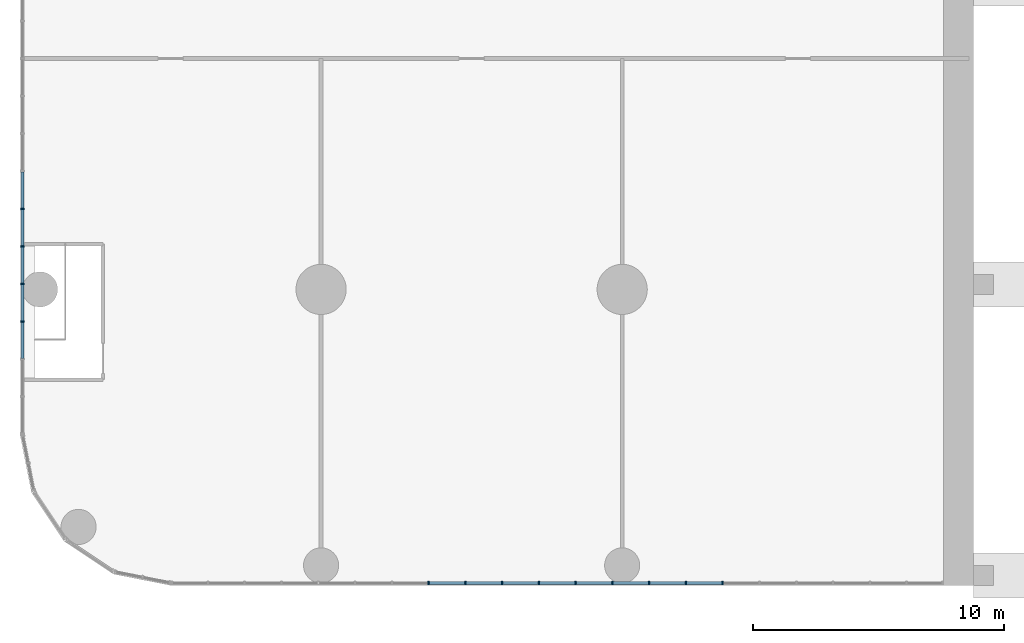
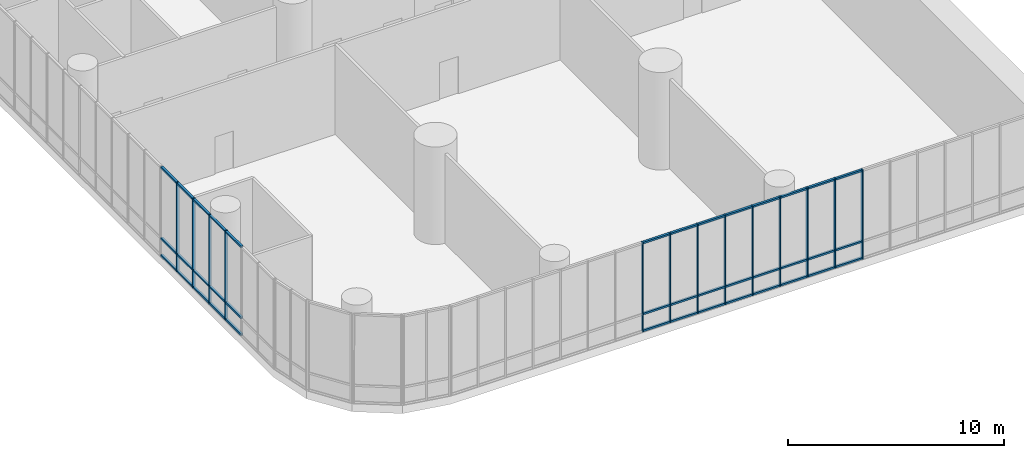
# One storey, part 3 of 30: 52 members, 2 elements without a shape of their own.
"""IFC4 building model written with IfcOpenShell, lengths in metres."""

from ifc_helpers import new_model, si_unit, direction, frame, origin, origin_2d, place, context, subcontext, project, spatial, rectangle, extrude, material, layer, layer_set, material_profile, profile_set, type_object, element, aggregate, save


model = new_model("IFC4")

# Units and contexts
model_context = context("Model", 3, precision=1e-05, world=origin(), true_north=direction((0.0, 1.0)))
body_context = subcontext(model_context, "Body", "Model", "MODEL_VIEW")
ifc_project = project(units=[si_unit("LENGTHUNIT", "METRE"), si_unit("AREAUNIT", "SQUARE_METRE"), si_unit("VOLUMEUNIT", "CUBIC_METRE"), si_unit("PLANEANGLEUNIT", "RADIAN"), si_unit("MASSUNIT", "GRAM", prefix="KILO")], contexts=[model_context])

# Site, building, storey
site_placement = place(None, origin())
site = spatial("IfcSite", under=ifc_project, at=site_placement, CompositionType="ELEMENT")
building_placement = place(site_placement, origin())
building = spatial("IfcBuilding", under=site, at=building_placement, Name="Torana Hotel and Residences", CompositionType="ELEMENT")
storey_placement = place(building_placement, frame((0.0, 0.0, 12.5)))
storey = spatial("IfcBuildingStorey", under=building, at=storey_placement, Name="L02", CompositionType="ELEMENT", Elevation=12.5)

# Curtain wall, members
ifc_material_1 = material(Name="Dark anodised aluminium", Category="aluminium")
ifc_layer = layer(ifc_material_1, 0.14990234375)
ifc_layer_set = layer_set([ifc_layer], Name="CW5 PODIUM UPPER UNITISED CURTAIN WALL")
curtain_wall_type = type_object("IfcCurtainWallType", Name="CW5 PODIUM UPPER UNITISED CURTAIN WALL", PredefinedType="NOTDEFINED", material=ifc_layer_set)
curtain_wall_1_placement = place(storey_placement, origin())
curtain_wall_1 = element("IfcCurtainWall", 1, at=curtain_wall_1_placement, inside=storey, type_object=curtain_wall_type, Name="Curtain wall CW5 L02 e0.0", PredefinedType="NOTDEFINED")
ifc_material_2 = material(Name="Dark anodised aluminium", Category="aluminium")
ifc_material_profile_1 = material_profile(ifc_material_2, rectangle(XDim=0.14990234375, YDim=0.06005859375, at=origin_2d()), Name="CW5 MULLION 60x150")
ifc_profile_set_1 = profile_set([ifc_material_profile_1], Name="Dark anodised aluminium")
member_type_1 = type_object("IfcMemberType", Name="CW5 MULLION 60x150", PredefinedType="MULLION", material=ifc_profile_set_1)
member_1_placement = place(storey_placement, frame((-31.717041015625, -39.89990234375, 0.0), z_axis=(0.0, 0.0, 1.0), x_axis=(0.0, 1.0, 0.0)))
member_1 = element("IfcMember", 2, at=member_1_placement, type_object=member_type_1, Name="CW5 mullion 8", PredefinedType="MULLION", context=body_context, shape_type="SweptSolid", body=[
    extrude(rectangle(XDim=0.14990234375, YDim=0.06005859375, at=origin_2d()), origin(), (0.0, 0.0, 1.0), 5.050048828125),
])
member_2_placement = place(storey_placement, frame((-30.25146484375, -39.89990234375, 0.0), z_axis=(0.0, 0.0, 1.0), x_axis=(0.0, 1.0, 0.0)))
member_2 = element("IfcMember", 3, at=member_2_placement, type_object=member_type_1, Name="CW5 mullion 9", PredefinedType="MULLION", context=body_context, shape_type="SweptSolid", body=[
    extrude(rectangle(XDim=0.14990234375, YDim=0.06005859375, at=origin_2d()), origin(), (0.0, 0.0, 1.0), 5.050048828125),
])
member_3_placement = place(storey_placement, frame((-28.785888671875, -39.89990234375, 0.0), z_axis=(0.0, 0.0, 1.0), x_axis=(0.0, 1.0, 0.0)))
member_3 = element("IfcMember", 4, at=member_3_placement, type_object=member_type_1, Name="CW5 mullion 10", PredefinedType="MULLION", context=body_context, shape_type="SweptSolid", body=[
    extrude(rectangle(XDim=0.14990234375, YDim=0.06005859375, at=origin_2d()), origin(), (0.0, 0.0, 1.0), 5.050048828125),
])
member_4_placement = place(storey_placement, frame((-27.320556640625, -39.89990234375, 0.0), z_axis=(0.0, 0.0, 1.0), x_axis=(0.0, 1.0, 0.0)))
member_4 = element("IfcMember", 5, at=member_4_placement, type_object=member_type_1, Name="CW5 mullion 11", PredefinedType="MULLION", context=body_context, shape_type="SweptSolid", body=[
    extrude(rectangle(XDim=0.14990234375, YDim=0.06005859375, at=origin_2d()), origin(), (0.0, 0.0, 1.0), 5.050048828125),
])
member_5_placement = place(storey_placement, frame((-25.85498046875, -39.89990234375, 0.0), z_axis=(0.0, 0.0, 1.0), x_axis=(0.0, 1.0, 0.0)))
member_5 = element("IfcMember", 6, at=member_5_placement, type_object=member_type_1, Name="CW5 mullion 12", PredefinedType="MULLION", context=body_context, shape_type="SweptSolid", body=[
    extrude(rectangle(XDim=0.14990234375, YDim=0.06005859375, at=origin_2d()), origin(), (0.0, 0.0, 1.0), 5.050048828125),
])
member_6_placement = place(storey_placement, frame((-24.389404296875, -39.89990234375, 0.0), z_axis=(0.0, 0.0, 1.0), x_axis=(0.0, 1.0, 0.0)))
member_6 = element("IfcMember", 7, at=member_6_placement, type_object=member_type_1, Name="CW5 mullion 13", PredefinedType="MULLION", context=body_context, shape_type="SweptSolid", body=[
    extrude(rectangle(XDim=0.14990234375, YDim=0.06005859375, at=origin_2d()), origin(), (0.0, 0.0, 1.0), 5.050048828125),
])
member_7_placement = place(storey_placement, frame((-22.924072265625, -39.89990234375, 0.0), z_axis=(0.0, 0.0, 1.0), x_axis=(0.0, 1.0, 0.0)))
member_7 = element("IfcMember", 8, at=member_7_placement, type_object=member_type_1, Name="CW5 mullion 14", PredefinedType="MULLION", context=body_context, shape_type="SweptSolid", body=[
    extrude(rectangle(XDim=0.14990234375, YDim=0.06005859375, at=origin_2d()), origin(), (0.0, 0.0, 1.0), 5.050048828125),
])
member_8_placement = place(storey_placement, frame((-21.45849609375, -39.89990234375, 0.0), z_axis=(0.0, 0.0, 1.0), x_axis=(0.0, 1.0, 0.0)))
member_8 = element("IfcMember", 9, at=member_8_placement, type_object=member_type_1, Name="CW5 mullion 15", PredefinedType="MULLION", context=body_context, shape_type="SweptSolid", body=[
    extrude(rectangle(XDim=0.14990234375, YDim=0.06005859375, at=origin_2d()), origin(), (0.0, 0.0, 1.0), 5.050048828125),
])
member_9_placement = place(storey_placement, frame((-19.992919921875, -39.89990234375, 0.0), z_axis=(0.0, 0.0, 1.0), x_axis=(0.0, 1.0, 0.0)))
member_9 = element("IfcMember", 10, at=member_9_placement, type_object=member_type_1, Name="CW5 mullion 16", PredefinedType="MULLION", context=body_context, shape_type="SweptSolid", body=[
    extrude(rectangle(XDim=0.14990234375, YDim=0.06005859375, at=origin_2d()), origin(), (0.0, 0.0, 1.0), 5.050048828125),
])

curtain_wall_2_placement = place(storey_placement, origin())
curtain_wall_2 = element("IfcCurtainWall", 11, at=curtain_wall_2_placement, inside=storey, type_object=curtain_wall_type, Name="Curtain wall CW5 L02 e0.7", PredefinedType="NOTDEFINED")
member_10_placement = place(storey_placement, frame((-47.89990234375, -24.98779296875, 0.0), z_axis=(0.0, 0.0, 1.0), x_axis=(1.0, 0.0, 0.0)))
member_10 = element("IfcMember", 12, at=member_10_placement, type_object=member_type_1, Name="CW5 mullion 19", PredefinedType="MULLION", context=body_context, shape_type="SweptSolid", body=[
    extrude(rectangle(XDim=0.14990234375, YDim=0.06005859375, at=origin_2d()), origin(), (0.0, 0.0, 1.0), 5.050048828125),
])
member_11_placement = place(storey_placement, frame((-47.89990234375, -26.485595703125, 0.0), z_axis=(0.0, 0.0, 1.0), x_axis=(1.0, 0.0, 0.0)))
member_11 = element("IfcMember", 13, at=member_11_placement, type_object=member_type_1, Name="CW5 mullion 20", PredefinedType="MULLION", context=body_context, shape_type="SweptSolid", body=[
    extrude(rectangle(XDim=0.14990234375, YDim=0.06005859375, at=origin_2d()), origin(), (0.0, 0.0, 1.0), 5.050048828125),
])
member_12_placement = place(storey_placement, frame((-47.89990234375, -27.983642578125, 0.0), z_axis=(0.0, 0.0, 1.0), x_axis=(1.0, 0.0, 0.0)))
member_12 = element("IfcMember", 14, at=member_12_placement, type_object=member_type_1, Name="CW5 mullion 21", PredefinedType="MULLION", context=body_context, shape_type="SweptSolid", body=[
    extrude(rectangle(XDim=0.14990234375, YDim=0.06005859375, at=origin_2d()), origin(), (0.0, 0.0, 1.0), 5.050048828125),
])
member_13_placement = place(storey_placement, frame((-47.89990234375, -29.4814453125, 0.0), z_axis=(0.0, 0.0, 1.0), x_axis=(1.0, 0.0, 0.0)))
member_13 = element("IfcMember", 15, at=member_13_placement, type_object=member_type_1, Name="CW5 mullion 22", PredefinedType="MULLION", context=body_context, shape_type="SweptSolid", body=[
    extrude(rectangle(XDim=0.14990234375, YDim=0.06005859375, at=origin_2d()), origin(), (0.0, 0.0, 1.0), 5.050048828125),
])

# Member
ifc_material_3 = material(Name="Dark anodised aluminium", Category="aluminium")
ifc_material_profile_2 = material_profile(ifc_material_3, rectangle(XDim=0.1201171875, YDim=0.10009765625, at=origin_2d()), Name="CW5 TRANSOM 120x100")
ifc_profile_set_2 = profile_set([ifc_material_profile_2], Name="Dark anodised aluminium")
member_type_2 = type_object("IfcMemberType", Name="CW5 TRANSOM 120x100", PredefinedType="USERDEFINED", material=ifc_profile_set_2)
member_14_placement = place(storey_placement, frame((-31.68701171875, -39.89990234375, 0.050048828125), z_axis=(1.0, 0.0, 0.0), x_axis=(0.0, 1.0, 0.0)))
member_14 = element("IfcMember", 16, at=member_14_placement, type_object=member_type_2, Name="CW5 transom 8.1", ObjectType="TRANSOM", PredefinedType="USERDEFINED", context=body_context, shape_type="SweptSolid", body=[
    extrude(rectangle(XDim=0.1201171875, YDim=0.10009765625, at=origin_2d()), origin(), (0.0, 0.0, 1.0), 1.405517578125),
])

member_15_placement = place(storey_placement, frame((-31.68701171875, -39.89990234375, 1.0), z_axis=(1.0, 0.0, 0.0), x_axis=(0.0, 1.0, 0.0)))
member_15 = element("IfcMember", 17, at=member_15_placement, type_object=member_type_2, Name="CW5 transom 8.2", ObjectType="TRANSOM", PredefinedType="USERDEFINED", context=body_context, shape_type="SweptSolid", body=[
    extrude(rectangle(XDim=0.1201171875, YDim=0.10009765625, at=origin_2d()), origin(), (0.0, 0.0, 1.0), 1.405517578125),
])

member_16_placement = place(storey_placement, frame((-31.68701171875, -39.89990234375, 5.0), z_axis=(1.0, 0.0, 0.0), x_axis=(0.0, 1.0, 0.0)))
member_16 = element("IfcMember", 18, at=member_16_placement, type_object=member_type_2, Name="CW5 transom 8.3", ObjectType="TRANSOM", PredefinedType="USERDEFINED", context=body_context, shape_type="SweptSolid", body=[
    extrude(rectangle(XDim=0.1201171875, YDim=0.10009765625, at=origin_2d()), origin(), (0.0, 0.0, 1.0), 1.405517578125),
])

member_17_placement = place(storey_placement, frame((-30.221435546875, -39.89990234375, 0.050048828125), z_axis=(1.0, 0.0, 0.0), x_axis=(0.0, 1.0, 0.0)))
member_17 = element("IfcMember", 19, at=member_17_placement, type_object=member_type_2, Name="CW5 transom 9.1", ObjectType="TRANSOM", PredefinedType="USERDEFINED", context=body_context, shape_type="SweptSolid", body=[
    extrude(rectangle(XDim=0.1201171875, YDim=0.10009765625, at=origin_2d()), origin(), (0.0, 0.0, 1.0), 1.405517578125),
])

member_18_placement = place(storey_placement, frame((-30.221435546875, -39.89990234375, 1.0), z_axis=(1.0, 0.0, 0.0), x_axis=(0.0, 1.0, 0.0)))
member_18 = element("IfcMember", 20, at=member_18_placement, type_object=member_type_2, Name="CW5 transom 9.2", ObjectType="TRANSOM", PredefinedType="USERDEFINED", context=body_context, shape_type="SweptSolid", body=[
    extrude(rectangle(XDim=0.1201171875, YDim=0.10009765625, at=origin_2d()), origin(), (0.0, 0.0, 1.0), 1.405517578125),
])

member_19_placement = place(storey_placement, frame((-30.221435546875, -39.89990234375, 5.0), z_axis=(1.0, 0.0, 0.0), x_axis=(0.0, 1.0, 0.0)))
member_19 = element("IfcMember", 21, at=member_19_placement, type_object=member_type_2, Name="CW5 transom 9.3", ObjectType="TRANSOM", PredefinedType="USERDEFINED", context=body_context, shape_type="SweptSolid", body=[
    extrude(rectangle(XDim=0.1201171875, YDim=0.10009765625, at=origin_2d()), origin(), (0.0, 0.0, 1.0), 1.405517578125),
])

member_20_placement = place(storey_placement, frame((-28.755859375, -39.89990234375, 0.050048828125), z_axis=(1.0, 0.0, 0.0), x_axis=(0.0, 1.0, 0.0)))
member_20 = element("IfcMember", 22, at=member_20_placement, type_object=member_type_2, Name="CW5 transom 10.1", ObjectType="TRANSOM", PredefinedType="USERDEFINED", context=body_context, shape_type="SweptSolid", body=[
    extrude(rectangle(XDim=0.1201171875, YDim=0.10009765625, at=origin_2d()), origin(), (0.0, 0.0, 1.0), 1.405517578125),
])

member_21_placement = place(storey_placement, frame((-28.755859375, -39.89990234375, 1.0), z_axis=(1.0, 0.0, 0.0), x_axis=(0.0, 1.0, 0.0)))
member_21 = element("IfcMember", 23, at=member_21_placement, type_object=member_type_2, Name="CW5 transom 10.2", ObjectType="TRANSOM", PredefinedType="USERDEFINED", context=body_context, shape_type="SweptSolid", body=[
    extrude(rectangle(XDim=0.1201171875, YDim=0.10009765625, at=origin_2d()), origin(), (0.0, 0.0, 1.0), 1.405517578125),
])

member_22_placement = place(storey_placement, frame((-28.755859375, -39.89990234375, 5.0), z_axis=(1.0, 0.0, 0.0), x_axis=(0.0, 1.0, 0.0)))
member_22 = element("IfcMember", 24, at=member_22_placement, type_object=member_type_2, Name="CW5 transom 10.3", ObjectType="TRANSOM", PredefinedType="USERDEFINED", context=body_context, shape_type="SweptSolid", body=[
    extrude(rectangle(XDim=0.1201171875, YDim=0.10009765625, at=origin_2d()), origin(), (0.0, 0.0, 1.0), 1.405517578125),
])

member_23_placement = place(storey_placement, frame((-27.29052734375, -39.89990234375, 0.050048828125), z_axis=(1.0, 0.0, 0.0), x_axis=(0.0, 1.0, 0.0)))
member_23 = element("IfcMember", 25, at=member_23_placement, type_object=member_type_2, Name="CW5 transom 11.1", ObjectType="TRANSOM", PredefinedType="USERDEFINED", context=body_context, shape_type="SweptSolid", body=[
    extrude(rectangle(XDim=0.1201171875, YDim=0.10009765625, at=origin_2d()), origin(), (0.0, 0.0, 1.0), 1.405517578125),
])

member_24_placement = place(storey_placement, frame((-27.29052734375, -39.89990234375, 1.0), z_axis=(1.0, 0.0, 0.0), x_axis=(0.0, 1.0, 0.0)))
member_24 = element("IfcMember", 26, at=member_24_placement, type_object=member_type_2, Name="CW5 transom 11.2", ObjectType="TRANSOM", PredefinedType="USERDEFINED", context=body_context, shape_type="SweptSolid", body=[
    extrude(rectangle(XDim=0.1201171875, YDim=0.10009765625, at=origin_2d()), origin(), (0.0, 0.0, 1.0), 1.405517578125),
])

member_25_placement = place(storey_placement, frame((-27.29052734375, -39.89990234375, 5.0), z_axis=(1.0, 0.0, 0.0), x_axis=(0.0, 1.0, 0.0)))
member_25 = element("IfcMember", 27, at=member_25_placement, type_object=member_type_2, Name="CW5 transom 11.3", ObjectType="TRANSOM", PredefinedType="USERDEFINED", context=body_context, shape_type="SweptSolid", body=[
    extrude(rectangle(XDim=0.1201171875, YDim=0.10009765625, at=origin_2d()), origin(), (0.0, 0.0, 1.0), 1.405517578125),
])

member_26_placement = place(storey_placement, frame((-25.824951171875, -39.89990234375, 0.050048828125), z_axis=(1.0, 0.0, 0.0), x_axis=(0.0, 1.0, 0.0)))
member_26 = element("IfcMember", 28, at=member_26_placement, type_object=member_type_2, Name="CW5 transom 12.1", ObjectType="TRANSOM", PredefinedType="USERDEFINED", context=body_context, shape_type="SweptSolid", body=[
    extrude(rectangle(XDim=0.1201171875, YDim=0.10009765625, at=origin_2d()), origin(), (0.0, 0.0, 1.0), 1.405517578125),
])

member_27_placement = place(storey_placement, frame((-25.824951171875, -39.89990234375, 1.0), z_axis=(1.0, 0.0, 0.0), x_axis=(0.0, 1.0, 0.0)))
member_27 = element("IfcMember", 29, at=member_27_placement, type_object=member_type_2, Name="CW5 transom 12.2", ObjectType="TRANSOM", PredefinedType="USERDEFINED", context=body_context, shape_type="SweptSolid", body=[
    extrude(rectangle(XDim=0.1201171875, YDim=0.10009765625, at=origin_2d()), origin(), (0.0, 0.0, 1.0), 1.405517578125),
])

member_28_placement = place(storey_placement, frame((-25.824951171875, -39.89990234375, 5.0), z_axis=(1.0, 0.0, 0.0), x_axis=(0.0, 1.0, 0.0)))
member_28 = element("IfcMember", 30, at=member_28_placement, type_object=member_type_2, Name="CW5 transom 12.3", ObjectType="TRANSOM", PredefinedType="USERDEFINED", context=body_context, shape_type="SweptSolid", body=[
    extrude(rectangle(XDim=0.1201171875, YDim=0.10009765625, at=origin_2d()), origin(), (0.0, 0.0, 1.0), 1.405517578125),
])

member_29_placement = place(storey_placement, frame((-24.359375, -39.89990234375, 0.050048828125), z_axis=(1.0, 0.0, 0.0), x_axis=(0.0, 1.0, 0.0)))
member_29 = element("IfcMember", 31, at=member_29_placement, type_object=member_type_2, Name="CW5 transom 13.1", ObjectType="TRANSOM", PredefinedType="USERDEFINED", context=body_context, shape_type="SweptSolid", body=[
    extrude(rectangle(XDim=0.1201171875, YDim=0.10009765625, at=origin_2d()), origin(), (0.0, 0.0, 1.0), 1.405517578125),
])

member_30_placement = place(storey_placement, frame((-24.359375, -39.89990234375, 1.0), z_axis=(1.0, 0.0, 0.0), x_axis=(0.0, 1.0, 0.0)))
member_30 = element("IfcMember", 32, at=member_30_placement, type_object=member_type_2, Name="CW5 transom 13.2", ObjectType="TRANSOM", PredefinedType="USERDEFINED", context=body_context, shape_type="SweptSolid", body=[
    extrude(rectangle(XDim=0.1201171875, YDim=0.10009765625, at=origin_2d()), origin(), (0.0, 0.0, 1.0), 1.405517578125),
])

member_31_placement = place(storey_placement, frame((-24.359375, -39.89990234375, 5.0), z_axis=(1.0, 0.0, 0.0), x_axis=(0.0, 1.0, 0.0)))
member_31 = element("IfcMember", 33, at=member_31_placement, type_object=member_type_2, Name="CW5 transom 13.3", ObjectType="TRANSOM", PredefinedType="USERDEFINED", context=body_context, shape_type="SweptSolid", body=[
    extrude(rectangle(XDim=0.1201171875, YDim=0.10009765625, at=origin_2d()), origin(), (0.0, 0.0, 1.0), 1.405517578125),
])

member_32_placement = place(storey_placement, frame((-22.89404296875, -39.89990234375, 0.050048828125), z_axis=(1.0, 0.0, 0.0), x_axis=(0.0, 1.0, 0.0)))
member_32 = element("IfcMember", 34, at=member_32_placement, type_object=member_type_2, Name="CW5 transom 14.1", ObjectType="TRANSOM", PredefinedType="USERDEFINED", context=body_context, shape_type="SweptSolid", body=[
    extrude(rectangle(XDim=0.1201171875, YDim=0.10009765625, at=origin_2d()), origin(), (0.0, 0.0, 1.0), 1.405517578125),
])

member_33_placement = place(storey_placement, frame((-22.89404296875, -39.89990234375, 1.0), z_axis=(1.0, 0.0, 0.0), x_axis=(0.0, 1.0, 0.0)))
member_33 = element("IfcMember", 35, at=member_33_placement, type_object=member_type_2, Name="CW5 transom 14.2", ObjectType="TRANSOM", PredefinedType="USERDEFINED", context=body_context, shape_type="SweptSolid", body=[
    extrude(rectangle(XDim=0.1201171875, YDim=0.10009765625, at=origin_2d()), origin(), (0.0, 0.0, 1.0), 1.405517578125),
])

member_34_placement = place(storey_placement, frame((-22.89404296875, -39.89990234375, 5.0), z_axis=(1.0, 0.0, 0.0), x_axis=(0.0, 1.0, 0.0)))
member_34 = element("IfcMember", 36, at=member_34_placement, type_object=member_type_2, Name="CW5 transom 14.3", ObjectType="TRANSOM", PredefinedType="USERDEFINED", context=body_context, shape_type="SweptSolid", body=[
    extrude(rectangle(XDim=0.1201171875, YDim=0.10009765625, at=origin_2d()), origin(), (0.0, 0.0, 1.0), 1.405517578125),
])

member_35_placement = place(storey_placement, frame((-21.428466796875, -39.89990234375, 0.050048828125), z_axis=(1.0, 0.0, 0.0), x_axis=(0.0, 1.0, 0.0)))
member_35 = element("IfcMember", 37, at=member_35_placement, type_object=member_type_2, Name="CW5 transom 15.1", ObjectType="TRANSOM", PredefinedType="USERDEFINED", context=body_context, shape_type="SweptSolid", body=[
    extrude(rectangle(XDim=0.1201171875, YDim=0.10009765625, at=origin_2d()), origin(), (0.0, 0.0, 1.0), 1.405517578125),
])

member_36_placement = place(storey_placement, frame((-21.428466796875, -39.89990234375, 1.0), z_axis=(1.0, 0.0, 0.0), x_axis=(0.0, 1.0, 0.0)))
member_36 = element("IfcMember", 38, at=member_36_placement, type_object=member_type_2, Name="CW5 transom 15.2", ObjectType="TRANSOM", PredefinedType="USERDEFINED", context=body_context, shape_type="SweptSolid", body=[
    extrude(rectangle(XDim=0.1201171875, YDim=0.10009765625, at=origin_2d()), origin(), (0.0, 0.0, 1.0), 1.405517578125),
])

member_37_placement = place(storey_placement, frame((-21.428466796875, -39.89990234375, 5.0), z_axis=(1.0, 0.0, 0.0), x_axis=(0.0, 1.0, 0.0)))
member_37 = element("IfcMember", 39, at=member_37_placement, type_object=member_type_2, Name="CW5 transom 15.3", ObjectType="TRANSOM", PredefinedType="USERDEFINED", context=body_context, shape_type="SweptSolid", body=[
    extrude(rectangle(XDim=0.1201171875, YDim=0.10009765625, at=origin_2d()), origin(), (0.0, 0.0, 1.0), 1.405517578125),
])

aggregate(curtain_wall_1, [member_1, member_2, member_3, member_4, member_5, member_6, member_7, member_8, member_9, member_14, member_15, member_16, member_17, member_18, member_19, member_20, member_21, member_22, member_23, member_24, member_25, member_26, member_27, member_28, member_29, member_30, member_31, member_32, member_33, member_34, member_35, member_36, member_37])

member_38_placement = place(storey_placement, frame((-47.89990234375, -23.519775390625, 0.050048828125), z_axis=(0.0, -1.0, 0.0), x_axis=(1.0, 0.0, 0.0)))
member_38 = element("IfcMember", 40, at=member_38_placement, type_object=member_type_2, Name="CW5 transom 18.1", ObjectType="TRANSOM", PredefinedType="USERDEFINED", context=body_context, shape_type="SweptSolid", body=[
    extrude(rectangle(XDim=0.1201171875, YDim=0.10009765625, at=origin_2d()), origin(), (0.0, 0.0, 1.0), 1.43798828125),
])

member_39_placement = place(storey_placement, frame((-47.89990234375, -23.519775390625, 1.0), z_axis=(0.0, -1.0, 0.0), x_axis=(1.0, 0.0, 0.0)))
member_39 = element("IfcMember", 41, at=member_39_placement, type_object=member_type_2, Name="CW5 transom 18.2", ObjectType="TRANSOM", PredefinedType="USERDEFINED", context=body_context, shape_type="SweptSolid", body=[
    extrude(rectangle(XDim=0.1201171875, YDim=0.10009765625, at=origin_2d()), origin(), (0.0, 0.0, 1.0), 1.43798828125),
])

member_40_placement = place(storey_placement, frame((-47.89990234375, -23.519775390625, 5.0), z_axis=(0.0, -1.0, 0.0), x_axis=(1.0, 0.0, 0.0)))
member_40 = element("IfcMember", 42, at=member_40_placement, type_object=member_type_2, Name="CW5 transom 18.3", ObjectType="TRANSOM", PredefinedType="USERDEFINED", context=body_context, shape_type="SweptSolid", body=[
    extrude(rectangle(XDim=0.1201171875, YDim=0.10009765625, at=origin_2d()), origin(), (0.0, 0.0, 1.0), 1.43798828125),
])

member_41_placement = place(storey_placement, frame((-47.89990234375, -25.017578125, 0.050048828125), z_axis=(0.0, -1.0, 0.0), x_axis=(1.0, 0.0, 0.0)))
member_41 = element("IfcMember", 43, at=member_41_placement, type_object=member_type_2, Name="CW5 transom 19.1", ObjectType="TRANSOM", PredefinedType="USERDEFINED", context=body_context, shape_type="SweptSolid", body=[
    extrude(rectangle(XDim=0.1201171875, YDim=0.10009765625, at=origin_2d()), origin(), (0.0, 0.0, 1.0), 1.43798828125),
])

member_42_placement = place(storey_placement, frame((-47.89990234375, -25.017578125, 1.0), z_axis=(0.0, -1.0, 0.0), x_axis=(1.0, 0.0, 0.0)))
member_42 = element("IfcMember", 44, at=member_42_placement, type_object=member_type_2, Name="CW5 transom 19.2", ObjectType="TRANSOM", PredefinedType="USERDEFINED", context=body_context, shape_type="SweptSolid", body=[
    extrude(rectangle(XDim=0.1201171875, YDim=0.10009765625, at=origin_2d()), origin(), (0.0, 0.0, 1.0), 1.43798828125),
])

member_43_placement = place(storey_placement, frame((-47.89990234375, -25.017578125, 5.0), z_axis=(0.0, -1.0, 0.0), x_axis=(1.0, 0.0, 0.0)))
member_43 = element("IfcMember", 45, at=member_43_placement, type_object=member_type_2, Name="CW5 transom 19.3", ObjectType="TRANSOM", PredefinedType="USERDEFINED", context=body_context, shape_type="SweptSolid", body=[
    extrude(rectangle(XDim=0.1201171875, YDim=0.10009765625, at=origin_2d()), origin(), (0.0, 0.0, 1.0), 1.43798828125),
])

member_44_placement = place(storey_placement, frame((-47.89990234375, -26.515625, 0.050048828125), z_axis=(0.0, -1.0, 0.0), x_axis=(1.0, 0.0, 0.0)))
member_44 = element("IfcMember", 46, at=member_44_placement, type_object=member_type_2, Name="CW5 transom 20.1", ObjectType="TRANSOM", PredefinedType="USERDEFINED", context=body_context, shape_type="SweptSolid", body=[
    extrude(rectangle(XDim=0.1201171875, YDim=0.10009765625, at=origin_2d()), origin(), (0.0, 0.0, 1.0), 1.43798828125),
])

member_45_placement = place(storey_placement, frame((-47.89990234375, -26.515625, 1.0), z_axis=(0.0, -1.0, 0.0), x_axis=(1.0, 0.0, 0.0)))
member_45 = element("IfcMember", 47, at=member_45_placement, type_object=member_type_2, Name="CW5 transom 20.2", ObjectType="TRANSOM", PredefinedType="USERDEFINED", context=body_context, shape_type="SweptSolid", body=[
    extrude(rectangle(XDim=0.1201171875, YDim=0.10009765625, at=origin_2d()), origin(), (0.0, 0.0, 1.0), 1.43798828125),
])

member_46_placement = place(storey_placement, frame((-47.89990234375, -26.515625, 5.0), z_axis=(0.0, -1.0, 0.0), x_axis=(1.0, 0.0, 0.0)))
member_46 = element("IfcMember", 48, at=member_46_placement, type_object=member_type_2, Name="CW5 transom 20.3", ObjectType="TRANSOM", PredefinedType="USERDEFINED", context=body_context, shape_type="SweptSolid", body=[
    extrude(rectangle(XDim=0.1201171875, YDim=0.10009765625, at=origin_2d()), origin(), (0.0, 0.0, 1.0), 1.43798828125),
])

member_47_placement = place(storey_placement, frame((-47.89990234375, -28.013671875, 0.050048828125), z_axis=(0.0, -1.0, 0.0), x_axis=(1.0, 0.0, 0.0)))
member_47 = element("IfcMember", 49, at=member_47_placement, type_object=member_type_2, Name="CW5 transom 21.1", ObjectType="TRANSOM", PredefinedType="USERDEFINED", context=body_context, shape_type="SweptSolid", body=[
    extrude(rectangle(XDim=0.1201171875, YDim=0.10009765625, at=origin_2d()), origin(), (0.0, 0.0, 1.0), 1.43798828125),
])

member_48_placement = place(storey_placement, frame((-47.89990234375, -28.013671875, 1.0), z_axis=(0.0, -1.0, 0.0), x_axis=(1.0, 0.0, 0.0)))
member_48 = element("IfcMember", 50, at=member_48_placement, type_object=member_type_2, Name="CW5 transom 21.2", ObjectType="TRANSOM", PredefinedType="USERDEFINED", context=body_context, shape_type="SweptSolid", body=[
    extrude(rectangle(XDim=0.1201171875, YDim=0.10009765625, at=origin_2d()), origin(), (0.0, 0.0, 1.0), 1.43798828125),
])

member_49_placement = place(storey_placement, frame((-47.89990234375, -28.013671875, 5.0), z_axis=(0.0, -1.0, 0.0), x_axis=(1.0, 0.0, 0.0)))
member_49 = element("IfcMember", 51, at=member_49_placement, type_object=member_type_2, Name="CW5 transom 21.3", ObjectType="TRANSOM", PredefinedType="USERDEFINED", context=body_context, shape_type="SweptSolid", body=[
    extrude(rectangle(XDim=0.1201171875, YDim=0.10009765625, at=origin_2d()), origin(), (0.0, 0.0, 1.0), 1.43798828125),
])

member_50_placement = place(storey_placement, frame((-47.89990234375, -29.511474609375, 0.050048828125), z_axis=(0.0, -1.0, 0.0), x_axis=(1.0, 0.0, 0.0)))
member_50 = element("IfcMember", 52, at=member_50_placement, type_object=member_type_2, Name="CW5 transom 22.1", ObjectType="TRANSOM", PredefinedType="USERDEFINED", context=body_context, shape_type="SweptSolid", body=[
    extrude(rectangle(XDim=0.1201171875, YDim=0.10009765625, at=origin_2d()), origin(), (0.0, 0.0, 1.0), 1.43798828125),
])

member_51_placement = place(storey_placement, frame((-47.89990234375, -29.511474609375, 1.0), z_axis=(0.0, -1.0, 0.0), x_axis=(1.0, 0.0, 0.0)))
member_51 = element("IfcMember", 53, at=member_51_placement, type_object=member_type_2, Name="CW5 transom 22.2", ObjectType="TRANSOM", PredefinedType="USERDEFINED", context=body_context, shape_type="SweptSolid", body=[
    extrude(rectangle(XDim=0.1201171875, YDim=0.10009765625, at=origin_2d()), origin(), (0.0, 0.0, 1.0), 1.43798828125),
])

member_52_placement = place(storey_placement, frame((-47.89990234375, -29.511474609375, 5.0), z_axis=(0.0, -1.0, 0.0), x_axis=(1.0, 0.0, 0.0)))
member_52 = element("IfcMember", 54, at=member_52_placement, type_object=member_type_2, Name="CW5 transom 22.3", ObjectType="TRANSOM", PredefinedType="USERDEFINED", context=body_context, shape_type="SweptSolid", body=[
    extrude(rectangle(XDim=0.1201171875, YDim=0.10009765625, at=origin_2d()), origin(), (0.0, 0.0, 1.0), 1.43798828125),
])

aggregate(curtain_wall_2, [member_10, member_11, member_12, member_13, member_38, member_39, member_40, member_41, member_42, member_43, member_44, member_45, member_46, member_47, member_48, member_49, member_50, member_51, member_52])

save(model, "model.ifc")
